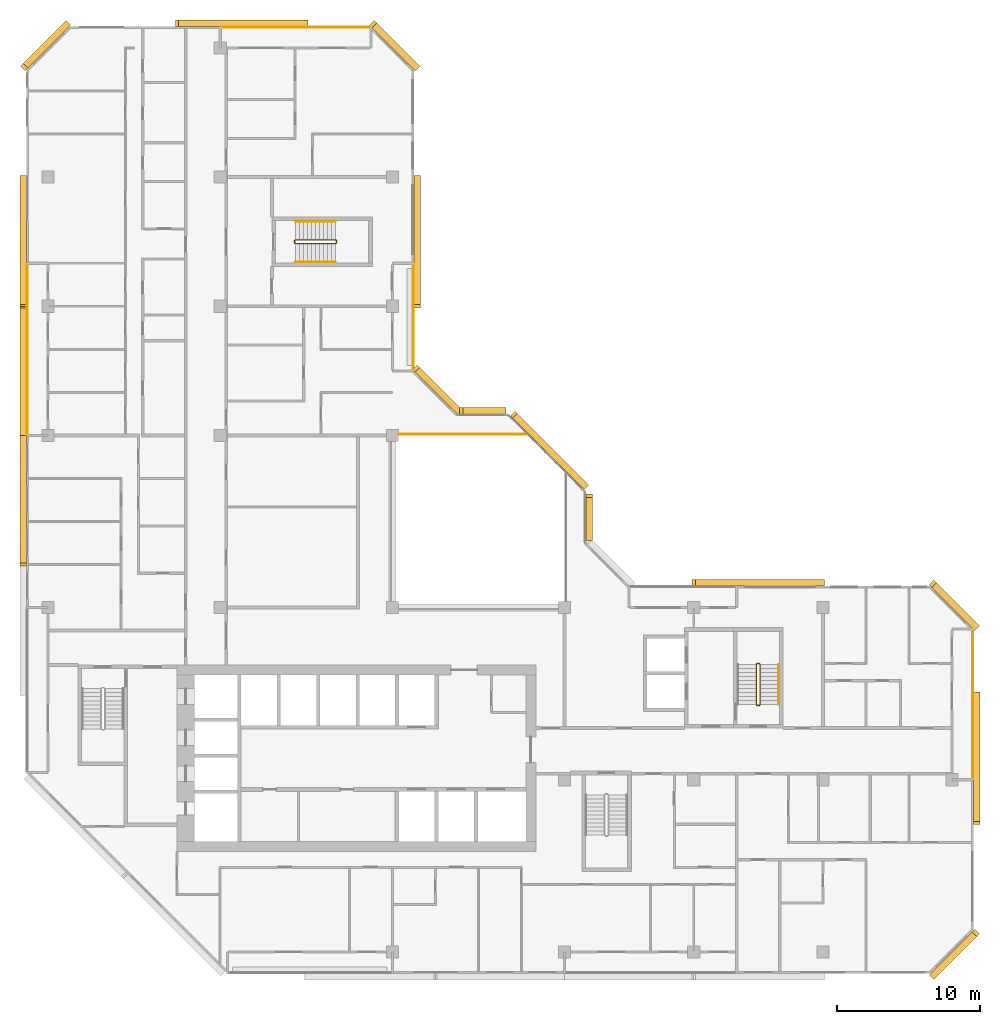
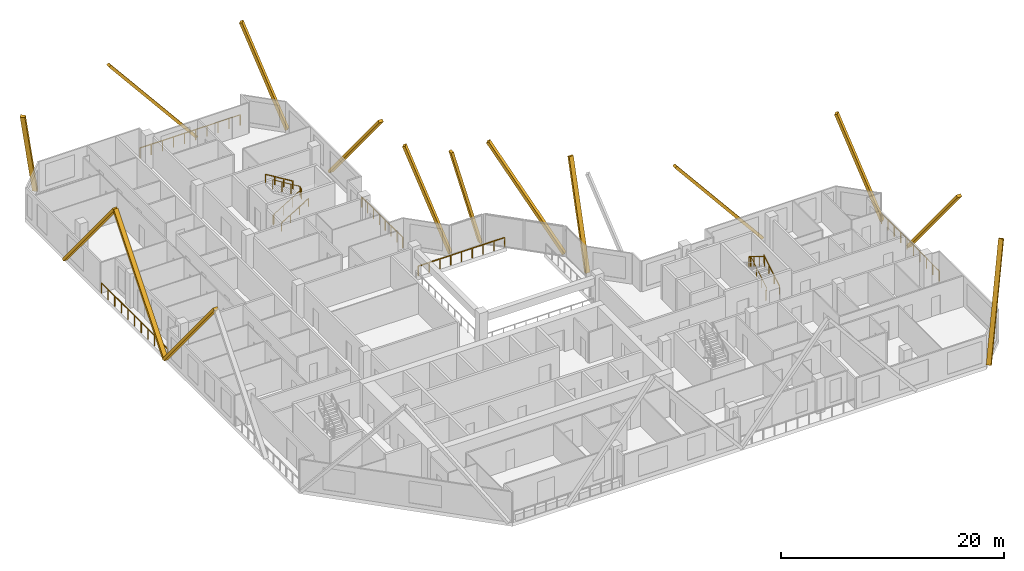
# One storey, part 15 of 15: 15 coverings, 10 railings.
"""IFC4 building model written with IfcOpenShell, lengths in metres."""

from ifc_helpers import new_model, si_unit, direction, frame, origin, origin_2d, place, context, subcontext, project, spatial, rectangle, extrude, material, material_profile, profile_set, type_object, element, save


model = new_model("IFC4")

# Units and contexts
model_context = context("Model", 3, precision=1e-05, world=origin(), true_north=direction((0.0, 1.0)))
body_context = subcontext(model_context, "Body", "Model", "MODEL_VIEW")
ifc_project = project(units=[si_unit("LENGTHUNIT", "METRE"), si_unit("AREAUNIT", "SQUARE_METRE"), si_unit("VOLUMEUNIT", "CUBIC_METRE"), si_unit("PLANEANGLEUNIT", "RADIAN"), si_unit("MASSUNIT", "GRAM", prefix="KILO")], contexts=[model_context])

# Site, building, storey
site_placement = place(None, origin())
site = spatial("IfcSite", under=ifc_project, at=site_placement, CompositionType="ELEMENT")
building_placement = place(site_placement, origin())
building = spatial("IfcBuilding", under=site, at=building_placement, Name="Chenar Terraces", CompositionType="ELEMENT")
storey_placement = place(building_placement, frame((0.0, 0.0, 245.39990234375)))
storey = spatial("IfcBuildingStorey", under=building, at=storey_placement, Name="L58", CompositionType="ELEMENT", Elevation=245.39990234375)

# Railings
ifc_material_1 = material(Name="Powder-coated steel", Category="steel")
railing_type_1 = type_object("IfcRailingType", Name="Guard 1100 steel rail with glass infill", PredefinedType="GUARDRAIL", material=ifc_material_1)
railing_1_placement = place(storey_placement, frame((24.47509765625, 36.10009765625, 0.0)))
element("IfcRailing", 1, at=railing_1_placement, inside=storey, type_object=railing_type_1, Name="Guard L58-2", PredefinedType="GUARDRAIL", context=body_context, shape_type="SweptSolid", body=[
    extrude(rectangle(XDim=0.06005859375, YDim=0.06005859375, at=origin_2d()), frame((0.0, 0.0, 1.070068359375), z_axis=(1.0, 0.0, 0.0), x_axis=(0.0, 1.0, 0.0)), (0.0, 0.0, 1.0), 8.9248046875),
    extrude(rectangle(XDim=0.050048828125, YDim=0.050048828125, at=origin_2d()), origin(), (0.0, 0.0, 1.0), 1.0400390625),
    extrude(rectangle(XDim=0.050048828125, YDim=0.050048828125, at=origin_2d()), frame((1.11572265625, 0.0, 0.0)), (0.0, 0.0, 1.0), 1.0400390625),
    extrude(rectangle(XDim=0.050048828125, YDim=0.050048828125, at=origin_2d()), frame((2.231201171875, 0.0, 0.0)), (0.0, 0.0, 1.0), 1.0400390625),
    extrude(rectangle(XDim=0.050048828125, YDim=0.050048828125, at=origin_2d()), frame((3.3466796875, 0.0, 0.0)), (0.0, 0.0, 1.0), 1.0400390625),
    extrude(rectangle(XDim=0.050048828125, YDim=0.050048828125, at=origin_2d()), frame((4.46240234375, 0.0, 0.0)), (0.0, 0.0, 1.0), 1.0400390625),
    extrude(rectangle(XDim=0.050048828125, YDim=0.050048828125, at=origin_2d()), frame((5.578125, 0.0, 0.0)), (0.0, 0.0, 1.0), 1.0400390625),
    extrude(rectangle(XDim=0.050048828125, YDim=0.050048828125, at=origin_2d()), frame((6.693603515625, 0.0, 0.0)), (0.0, 0.0, 1.0), 1.0400390625),
    extrude(rectangle(XDim=0.050048828125, YDim=0.050048828125, at=origin_2d()), frame((7.80908203125, 0.0, 0.0)), (0.0, 0.0, 1.0), 1.0400390625),
    extrude(rectangle(XDim=0.050048828125, YDim=0.050048828125, at=origin_2d()), frame((8.9248046875, 0.0, 0.0)), (0.0, 0.0, 1.0), 1.0400390625),
])
ifc_material_2 = material(Name="Stainless steel and glass", Category="steel")
railing_type_2 = type_object("IfcRailingType", Name="Loggia guard 1150", PredefinedType="GUARDRAIL", material=ifc_material_2)
railing_2_placement = place(storey_placement, frame((25.449951171875, 40.574951171875, 0.0)))
element("IfcRailing", 2, at=railing_2_placement, inside=storey, type_object=railing_type_2, Name="Loggia guard", PredefinedType="GUARDRAIL", context=body_context, shape_type="SweptSolid", body=[
    extrude(rectangle(XDim=0.048095703125, YDim=0.048095703125, at=origin_2d()), frame((0.0, 0.0, 1.1259765625), z_axis=(0.0, 1.0, 0.0), x_axis=(-1.0, 0.0, 0.0)), (0.0, 0.0, 1.0), 7.35009765625),
    extrude(rectangle(XDim=0.0419921875, YDim=0.0419921875, at=origin_2d()), origin(), (0.0, 0.0, 1.0), 1.101806640625),
    extrude(rectangle(XDim=0.0419921875, YDim=0.0419921875, at=origin_2d()), frame((0.0, 1.050048828125, 0.0)), (0.0, 0.0, 1.0), 1.101806640625),
    extrude(rectangle(XDim=0.0419921875, YDim=0.0419921875, at=origin_2d()), frame((0.0, 2.10009765625, 0.0)), (0.0, 0.0, 1.0), 1.101806640625),
    extrude(rectangle(XDim=0.0419921875, YDim=0.0419921875, at=origin_2d()), frame((0.0, 3.150146484375, 0.0)), (0.0, 0.0, 1.0), 1.101806640625),
    extrude(rectangle(XDim=0.0419921875, YDim=0.0419921875, at=origin_2d()), frame((0.0, 4.199951171875, 0.0)), (0.0, 0.0, 1.0), 1.101806640625),
    extrude(rectangle(XDim=0.0419921875, YDim=0.0419921875, at=origin_2d()), frame((0.0, 5.25, 0.0)), (0.0, 0.0, 1.0), 1.101806640625),
    extrude(rectangle(XDim=0.0419921875, YDim=0.0419921875, at=origin_2d()), frame((0.0, 6.300048828125, 0.0)), (0.0, 0.0, 1.0), 1.101806640625),
    extrude(rectangle(XDim=0.0419921875, YDim=0.0419921875, at=origin_2d()), frame((0.0, 7.35009765625, 0.0)), (0.0, 0.0, 1.0), 1.101806640625),
])
railing_3_placement = place(storey_placement, frame((64.449951171875, 12.074951171875, 0.0)))
element("IfcRailing", 3, at=railing_3_placement, inside=storey, type_object=railing_type_2, Name="Loggia guard", PredefinedType="GUARDRAIL", context=body_context, shape_type="SweptSolid", body=[
    extrude(rectangle(XDim=0.048095703125, YDim=0.048095703125, at=origin_2d()), frame((0.0, 0.0, 1.1259765625), z_axis=(0.0, 1.0, 0.0), x_axis=(-1.0, 0.0, 0.0)), (0.0, 0.0, 1.0), 10.35009765625),
    extrude(rectangle(XDim=0.0419921875, YDim=0.0419921875, at=origin_2d()), origin(), (0.0, 0.0, 1.0), 1.101806640625),
    extrude(rectangle(XDim=0.0419921875, YDim=0.0419921875, at=origin_2d()), frame((0.0, 1.14990234375, 0.0)), (0.0, 0.0, 1.0), 1.101806640625),
    extrude(rectangle(XDim=0.0419921875, YDim=0.0419921875, at=origin_2d()), frame((0.0, 2.300048828125, 0.0)), (0.0, 0.0, 1.0), 1.101806640625),
    extrude(rectangle(XDim=0.0419921875, YDim=0.0419921875, at=origin_2d()), frame((0.0, 3.449951171875, 0.0)), (0.0, 0.0, 1.0), 1.101806640625),
    extrude(rectangle(XDim=0.0419921875, YDim=0.0419921875, at=origin_2d()), frame((0.0, 4.60009765625, 0.0)), (0.0, 0.0, 1.0), 1.101806640625),
    extrude(rectangle(XDim=0.0419921875, YDim=0.0419921875, at=origin_2d()), frame((0.0, 5.75, 0.0)), (0.0, 0.0, 1.0), 1.101806640625),
    extrude(rectangle(XDim=0.0419921875, YDim=0.0419921875, at=origin_2d()), frame((0.0, 6.900146484375, 0.0)), (0.0, 0.0, 1.0), 1.101806640625),
    extrude(rectangle(XDim=0.0419921875, YDim=0.0419921875, at=origin_2d()), frame((0.0, 8.050048828125, 0.0)), (0.0, 0.0, 1.0), 1.101806640625),
    extrude(rectangle(XDim=0.0419921875, YDim=0.0419921875, at=origin_2d()), frame((0.0, 9.2001953125, 0.0)), (0.0, 0.0, 1.0), 1.101806640625),
    extrude(rectangle(XDim=0.0419921875, YDim=0.0419921875, at=origin_2d()), frame((0.0, 10.35009765625, 0.0)), (0.0, 0.0, 1.0), 1.101806640625),
])
railing_4_placement = place(storey_placement, frame((22.425048828125, 64.449951171875, 0.0)))
element("IfcRailing", 4, at=railing_4_placement, inside=storey, type_object=railing_type_2, Name="Loggia guard", PredefinedType="GUARDRAIL", context=body_context, shape_type="SweptSolid", body=[
    extrude(rectangle(XDim=0.048095703125, YDim=0.048095703125, at=origin_2d()), frame((0.0, 0.0, 1.1259765625), z_axis=(-1.0, 0.0, 0.0), x_axis=(0.0, -1.0, 0.0)), (0.0, 0.0, 1.0), 10.35009765625),
    extrude(rectangle(XDim=0.0419921875, YDim=0.0419921875, at=origin_2d()), origin(), (0.0, 0.0, 1.0), 1.101806640625),
    extrude(rectangle(XDim=0.0419921875, YDim=0.0419921875, at=origin_2d()), frame((-1.14990234375, 0.0, 0.0)), (0.0, 0.0, 1.0), 1.101806640625),
    extrude(rectangle(XDim=0.0419921875, YDim=0.0419921875, at=origin_2d()), frame((-2.300048828125, 0.0, 0.0)), (0.0, 0.0, 1.0), 1.101806640625),
    extrude(rectangle(XDim=0.0419921875, YDim=0.0419921875, at=origin_2d()), frame((-3.449951171875, 0.0, 0.0)), (0.0, 0.0, 1.0), 1.101806640625),
    extrude(rectangle(XDim=0.0419921875, YDim=0.0419921875, at=origin_2d()), frame((-4.60009765625, 0.0, 0.0)), (0.0, 0.0, 1.0), 1.101806640625),
    extrude(rectangle(XDim=0.0419921875, YDim=0.0419921875, at=origin_2d()), frame((-5.75, 0.0, 0.0)), (0.0, 0.0, 1.0), 1.101806640625),
    extrude(rectangle(XDim=0.0419921875, YDim=0.0419921875, at=origin_2d()), frame((-6.900146484375, 0.0, 0.0)), (0.0, 0.0, 1.0), 1.101806640625),
    extrude(rectangle(XDim=0.0419921875, YDim=0.0419921875, at=origin_2d()), frame((-8.050048828125, 0.0, 0.0)), (0.0, 0.0, 1.0), 1.101806640625),
    extrude(rectangle(XDim=0.0419921875, YDim=0.0419921875, at=origin_2d()), frame((-9.2001953125, 0.0, 0.0)), (0.0, 0.0, 1.0), 1.101806640625),
    extrude(rectangle(XDim=0.0419921875, YDim=0.0419921875, at=origin_2d()), frame((-10.35009765625, 0.0, 0.0)), (0.0, 0.0, 1.0), 1.101806640625),
])
railing_5_placement = place(storey_placement, frame((-1.449951171875, 47.925048828125, 0.0)))
element("IfcRailing", 5, at=railing_5_placement, inside=storey, type_object=railing_type_2, Name="Loggia guard", PredefinedType="GUARDRAIL", context=body_context, shape_type="SweptSolid", body=[
    extrude(rectangle(XDim=0.048095703125, YDim=0.048095703125, at=origin_2d()), frame((0.0, 0.0, 1.1259765625), z_axis=(0.0, -1.0, 0.0), x_axis=(1.0, 0.0, 0.0)), (0.0, 0.0, 1.0), 11.85009765625),
    extrude(rectangle(XDim=0.0419921875, YDim=0.0419921875, at=origin_2d()), origin(), (0.0, 0.0, 1.0), 1.101806640625),
    extrude(rectangle(XDim=0.0419921875, YDim=0.0419921875, at=origin_2d()), frame((0.0, -1.18505859375, 0.0)), (0.0, 0.0, 1.0), 1.101806640625),
    extrude(rectangle(XDim=0.0419921875, YDim=0.0419921875, at=origin_2d()), frame((0.0, -2.3701171875, 0.0)), (0.0, 0.0, 1.0), 1.101806640625),
    extrude(rectangle(XDim=0.0419921875, YDim=0.0419921875, at=origin_2d()), frame((0.0, -3.554931640625, 0.0)), (0.0, 0.0, 1.0), 1.101806640625),
    extrude(rectangle(XDim=0.0419921875, YDim=0.0419921875, at=origin_2d()), frame((0.0, -4.739990234375, 0.0)), (0.0, 0.0, 1.0), 1.101806640625),
    extrude(rectangle(XDim=0.0419921875, YDim=0.0419921875, at=origin_2d()), frame((0.0, -5.925048828125, 0.0)), (0.0, 0.0, 1.0), 1.101806640625),
    extrude(rectangle(XDim=0.0419921875, YDim=0.0419921875, at=origin_2d()), frame((0.0, -7.110107421875, 0.0)), (0.0, 0.0, 1.0), 1.101806640625),
    extrude(rectangle(XDim=0.0419921875, YDim=0.0419921875, at=origin_2d()), frame((0.0, -8.295166015625, 0.0)), (0.0, 0.0, 1.0), 1.101806640625),
    extrude(rectangle(XDim=0.0419921875, YDim=0.0419921875, at=origin_2d()), frame((0.0, -9.47998046875, 0.0)), (0.0, 0.0, 1.0), 1.101806640625),
    extrude(rectangle(XDim=0.0419921875, YDim=0.0419921875, at=origin_2d()), frame((0.0, -10.6650390625, 0.0)), (0.0, 0.0, 1.0), 1.101806640625),
    extrude(rectangle(XDim=0.0419921875, YDim=0.0419921875, at=origin_2d()), frame((0.0, -11.85009765625, 0.0)), (0.0, 0.0, 1.0), 1.101806640625),
])
ifc_material_3 = material(Name="Powder-coated steel", Category="steel")
railing_type_3 = type_object("IfcRailingType", Name="Stair guard 1100", PredefinedType="GUARDRAIL", material=ifc_material_3)
railing_6_placement = place(storey_placement, frame((49.375, 17.25, 3.75)))
element("IfcRailing", 6, at=railing_6_placement, inside=storey, type_object=railing_type_3, Name="L58 ST3 stair guard 1", PredefinedType="GUARDRAIL", context=body_context, shape_type="SweptSolid", body=[
    extrude(rectangle(XDim=0.048095703125, YDim=0.048095703125, at=origin_2d()), frame((0.0, 0.0, 1.076171875), z_axis=(0.0, 0.854202870247, -0.519939858505), x_axis=(-1.0, 0.0, 0.0)), (0.0, 0.0, 1.0), 3.278076171875),
    extrude(rectangle(XDim=0.048095703125, YDim=0.048095703125, at=origin_2d()), frame((0.0, 2.800048828125, -0.62841796875), z_axis=(0.270899902878, 0.270899902878, -0.923702595667), x_axis=(-0.707106781187, 0.707106781187, 0.0)), (0.0, 0.0, 1.0), 0.184814453125),
    extrude(rectangle(XDim=0.048095703125, YDim=0.048095703125, at=origin_2d()), frame((0.050048828125, 2.85009765625, -0.798828125), z_axis=(1.0, 0.0, 0.0), x_axis=(0.0, 1.0, 0.0)), (0.0, 0.0, 1.0), 0.14990234375),
    extrude(rectangle(XDim=0.048095703125, YDim=0.048095703125, at=origin_2d()), frame((0.199951171875, 2.85009765625, -0.798828125), z_axis=(0.707106781187, -0.707106781187, 0.0), x_axis=(0.707106781187, 0.707106781187, 0.0)), (0.0, 0.0, 1.0), 0.07080078125),
    extrude(rectangle(XDim=0.048095703125, YDim=0.048095703125, at=origin_2d()), frame((0.25, 2.800048828125, -0.798828125), z_axis=(0.0, -0.854202870247, -0.519939858505), x_axis=(1.0, 0.0, 0.0)), (0.0, 0.0, 1.0), 3.278076171875),
    extrude(rectangle(XDim=0.048095703125, YDim=0.048095703125, at=origin_2d()), frame((0.25, 0.0, -2.50341796875), z_axis=(-0.270899902878, -0.270899902878, -0.923702595667), x_axis=(0.707106781187, -0.707106781187, 0.0)), (0.0, 0.0, 1.0), 0.184814453125),
    extrude(rectangle(XDim=0.048095703125, YDim=0.048095703125, at=origin_2d()), frame((0.199951171875, -0.050048828125, -2.673828125), z_axis=(-1.0, 0.0, 0.0), x_axis=(0.0, -1.0, 0.0)), (0.0, 0.0, 1.0), 0.14990234375),
    extrude(rectangle(XDim=0.0419921875, YDim=0.0419921875, at=origin_2d()), origin(), (0.0, 0.0, 1.0), 1.052001953125),
    extrude(rectangle(XDim=0.0419921875, YDim=0.0419921875, at=origin_2d()), frame((0.0, 0.933349609375, -0.568115234375)), (0.0, 0.0, 1.0), 1.052001953125),
    extrude(rectangle(XDim=0.0419921875, YDim=0.0419921875, at=origin_2d()), frame((0.0, 1.86669921875, -1.13623046875)), (0.0, 0.0, 1.0), 1.052001953125),
    extrude(rectangle(XDim=0.0419921875, YDim=0.0419921875, at=origin_2d()), frame((0.0, 2.800048828125, -1.704345703125)), (0.0, 0.0, 1.0), 1.052001953125),
    extrude(rectangle(XDim=0.0419921875, YDim=0.0419921875, at=origin_2d()), frame((0.050048828125, 2.85009765625, -1.875)), (0.0, 0.0, 1.0), 1.052001953125),
    extrude(rectangle(XDim=0.0419921875, YDim=0.0419921875, at=origin_2d()), frame((0.199951171875, 2.85009765625, -1.875)), (0.0, 0.0, 1.0), 1.052001953125),
    extrude(rectangle(XDim=0.0419921875, YDim=0.0419921875, at=origin_2d()), frame((0.25, 2.800048828125, -1.875)), (0.0, 0.0, 1.0), 1.052001953125),
    extrude(rectangle(XDim=0.0419921875, YDim=0.0419921875, at=origin_2d()), frame((0.25, 1.86669921875, -2.443115234375)), (0.0, 0.0, 1.0), 1.052001953125),
    extrude(rectangle(XDim=0.0419921875, YDim=0.0419921875, at=origin_2d()), frame((0.25, 0.933349609375, -3.01123046875)), (0.0, 0.0, 1.0), 1.052001953125),
    extrude(rectangle(XDim=0.0419921875, YDim=0.0419921875, at=origin_2d()), frame((0.25, 0.0, -3.579345703125)), (0.0, 0.0, 1.0), 1.052001953125),
    extrude(rectangle(XDim=0.0419921875, YDim=0.0419921875, at=origin_2d()), frame((0.199951171875, -0.050048828125, -3.75)), (0.0, 0.0, 1.0), 1.052001953125),
    extrude(rectangle(XDim=0.0419921875, YDim=0.0419921875, at=origin_2d()), frame((0.050048828125, -0.050048828125, -3.75)), (0.0, 0.0, 1.0), 1.052001953125),
])
railing_7_placement = place(storey_placement, frame((17.25, 49.625, 3.75)))
element("IfcRailing", 7, at=railing_7_placement, inside=storey, type_object=railing_type_3, Name="L58 ST4 stair guard 1", PredefinedType="GUARDRAIL", context=body_context, shape_type="SweptSolid", body=[
    extrude(rectangle(XDim=0.048095703125, YDim=0.048095703125, at=origin_2d()), frame((0.0, 0.0, 1.076171875), z_axis=(0.854202870247, 0.0, -0.519939858505), x_axis=(0.0, 1.0, 0.0)), (0.0, 0.0, 1.0), 3.278076171875),
    extrude(rectangle(XDim=0.048095703125, YDim=0.048095703125, at=origin_2d()), frame((2.800048828125, 0.0, -0.62841796875), z_axis=(0.270899902878, -0.270899902878, -0.923702595667), x_axis=(0.707106781187, 0.707106781187, 0.0)), (0.0, 0.0, 1.0), 0.184814453125),
    extrude(rectangle(XDim=0.048095703125, YDim=0.048095703125, at=origin_2d()), frame((2.85009765625, -0.050048828125, -0.798828125), z_axis=(0.0, -1.0, 0.0), x_axis=(1.0, 0.0, 0.0)), (0.0, 0.0, 1.0), 0.14990234375),
    extrude(rectangle(XDim=0.048095703125, YDim=0.048095703125, at=origin_2d()), frame((2.85009765625, -0.199951171875, -0.798828125), z_axis=(-0.707106781187, -0.707106781187, 0.0), x_axis=(0.707106781187, -0.707106781187, 0.0)), (0.0, 0.0, 1.0), 0.07080078125),
    extrude(rectangle(XDim=0.048095703125, YDim=0.048095703125, at=origin_2d()), frame((2.800048828125, -0.25, -0.798828125), z_axis=(-0.854202870247, 0.0, -0.519939858505), x_axis=(0.0, -1.0, 0.0)), (0.0, 0.0, 1.0), 3.278076171875),
    extrude(rectangle(XDim=0.048095703125, YDim=0.048095703125, at=origin_2d()), frame((0.0, -0.25, -2.50341796875), z_axis=(-0.270899902878, 0.270899902878, -0.923702595667), x_axis=(-0.707106781187, -0.707106781187, 0.0)), (0.0, 0.0, 1.0), 0.184814453125),
    extrude(rectangle(XDim=0.048095703125, YDim=0.048095703125, at=origin_2d()), frame((-0.050048828125, -0.199951171875, -2.673828125), z_axis=(0.0, 1.0, 0.0), x_axis=(-1.0, 0.0, 0.0)), (0.0, 0.0, 1.0), 0.14990234375),
    extrude(rectangle(XDim=0.0419921875, YDim=0.0419921875, at=origin_2d()), origin(), (0.0, 0.0, 1.0), 1.052001953125),
    extrude(rectangle(XDim=0.0419921875, YDim=0.0419921875, at=origin_2d()), frame((0.933349609375, 0.0, -0.568115234375)), (0.0, 0.0, 1.0), 1.052001953125),
    extrude(rectangle(XDim=0.0419921875, YDim=0.0419921875, at=origin_2d()), frame((1.86669921875, 0.0, -1.13623046875)), (0.0, 0.0, 1.0), 1.052001953125),
    extrude(rectangle(XDim=0.0419921875, YDim=0.0419921875, at=origin_2d()), frame((2.800048828125, 0.0, -1.704345703125)), (0.0, 0.0, 1.0), 1.052001953125),
    extrude(rectangle(XDim=0.0419921875, YDim=0.0419921875, at=origin_2d()), frame((2.85009765625, -0.050048828125, -1.875)), (0.0, 0.0, 1.0), 1.052001953125),
    extrude(rectangle(XDim=0.0419921875, YDim=0.0419921875, at=origin_2d()), frame((2.85009765625, -0.199951171875, -1.875)), (0.0, 0.0, 1.0), 1.052001953125),
    extrude(rectangle(XDim=0.0419921875, YDim=0.0419921875, at=origin_2d()), frame((2.800048828125, -0.25, -1.875)), (0.0, 0.0, 1.0), 1.052001953125),
    extrude(rectangle(XDim=0.0419921875, YDim=0.0419921875, at=origin_2d()), frame((1.86669921875, -0.25, -2.443115234375)), (0.0, 0.0, 1.0), 1.052001953125),
    extrude(rectangle(XDim=0.0419921875, YDim=0.0419921875, at=origin_2d()), frame((0.933349609375, -0.25, -3.01123046875)), (0.0, 0.0, 1.0), 1.052001953125),
    extrude(rectangle(XDim=0.0419921875, YDim=0.0419921875, at=origin_2d()), frame((0.0, -0.25, -3.579345703125)), (0.0, 0.0, 1.0), 1.052001953125),
    extrude(rectangle(XDim=0.0419921875, YDim=0.0419921875, at=origin_2d()), frame((-0.050048828125, -0.199951171875, -3.75)), (0.0, 0.0, 1.0), 1.052001953125),
    extrude(rectangle(XDim=0.0419921875, YDim=0.0419921875, at=origin_2d()), frame((-0.050048828125, -0.050048828125, -3.75)), (0.0, 0.0, 1.0), 1.052001953125),
])
ifc_material_4 = material(Name="Powder-coated steel", Category="steel")
railing_type_4 = type_object("IfcRailingType", Name="Stair handrail 900", PredefinedType="HANDRAIL", material=ifc_material_4)
railing_8_placement = place(storey_placement, frame((50.925048828125, 17.25, 0.170654296875)))
element("IfcRailing", 8, at=railing_8_placement, inside=storey, type_object=railing_type_4, Name="L58 ST3 stair handrail 1", PredefinedType="HANDRAIL", context=body_context, shape_type="SweptSolid", body=[
    extrude(rectangle(XDim=0.048095703125, YDim=0.048095703125, at=origin_2d()), frame((0.0, 0.0, 0.8759765625), z_axis=(0.0, 0.854202870247, 0.519939858505), x_axis=(-1.0, 0.0, 0.0)), (0.0, 0.0, 1.0), 3.278076171875),
    extrude(rectangle(XDim=0.0419921875, YDim=0.0419921875, at=origin_2d()), origin(), (0.0, 0.0, 1.0), 0.851806640625),
    extrude(rectangle(XDim=0.0419921875, YDim=0.0419921875, at=origin_2d()), frame((0.0, 0.933349609375, 0.568115234375)), (0.0, 0.0, 1.0), 0.851806640625),
    extrude(rectangle(XDim=0.0419921875, YDim=0.0419921875, at=origin_2d()), frame((0.0, 1.86669921875, 1.13623046875)), (0.0, 0.0, 1.0), 0.851806640625),
    extrude(rectangle(XDim=0.0419921875, YDim=0.0419921875, at=origin_2d()), frame((0.0, 2.800048828125, 1.704345703125)), (0.0, 0.0, 1.0), 0.851806640625),
])
railing_9_placement = place(storey_placement, frame((17.25, 48.074951171875, 0.170654296875)))
element("IfcRailing", 9, at=railing_9_placement, inside=storey, type_object=railing_type_4, Name="L58 ST4 stair handrail 1", PredefinedType="HANDRAIL", context=body_context, shape_type="SweptSolid", body=[
    extrude(rectangle(XDim=0.048095703125, YDim=0.048095703125, at=origin_2d()), frame((0.0, 0.0, 0.8759765625), z_axis=(0.854202870247, 0.0, 0.519939858505), x_axis=(0.0, 1.0, 0.0)), (0.0, 0.0, 1.0), 3.278076171875),
    extrude(rectangle(XDim=0.0419921875, YDim=0.0419921875, at=origin_2d()), origin(), (0.0, 0.0, 1.0), 0.851806640625),
    extrude(rectangle(XDim=0.0419921875, YDim=0.0419921875, at=origin_2d()), frame((0.933349609375, 0.0, 0.568115234375)), (0.0, 0.0, 1.0), 0.851806640625),
    extrude(rectangle(XDim=0.0419921875, YDim=0.0419921875, at=origin_2d()), frame((1.86669921875, 0.0, 1.13623046875)), (0.0, 0.0, 1.0), 0.851806640625),
    extrude(rectangle(XDim=0.0419921875, YDim=0.0419921875, at=origin_2d()), frame((2.800048828125, 0.0, 1.704345703125)), (0.0, 0.0, 1.0), 0.851806640625),
])
railing_10_placement = place(storey_placement, frame((20.050048828125, 50.925048828125, 2.045654296875)))
element("IfcRailing", 10, at=railing_10_placement, inside=storey, type_object=railing_type_4, Name="L58 ST4 stair handrail 2", PredefinedType="HANDRAIL", context=body_context, shape_type="SweptSolid", body=[
    extrude(rectangle(XDim=0.048095703125, YDim=0.048095703125, at=origin_2d()), frame((0.0, 0.0, 0.8759765625), z_axis=(-0.854202870247, 0.0, 0.519939858505), x_axis=(0.0, -1.0, 0.0)), (0.0, 0.0, 1.0), 3.278076171875),
    extrude(rectangle(XDim=0.0419921875, YDim=0.0419921875, at=origin_2d()), origin(), (0.0, 0.0, 1.0), 0.851806640625),
    extrude(rectangle(XDim=0.0419921875, YDim=0.0419921875, at=origin_2d()), frame((-0.933349609375, 0.0, 0.568115234375)), (0.0, 0.0, 1.0), 0.851806640625),
    extrude(rectangle(XDim=0.0419921875, YDim=0.0419921875, at=origin_2d()), frame((-1.86669921875, 0.0, 1.13623046875)), (0.0, 0.0, 1.0), 0.851806640625),
    extrude(rectangle(XDim=0.0419921875, YDim=0.0419921875, at=origin_2d()), frame((-2.800048828125, 0.0, 1.704345703125)), (0.0, 0.0, 1.0), 0.851806640625),
])

# Coverings
ifc_material_5 = material(Name="Terracotta", Category="masonry")
ifc_material_profile = material_profile(ifc_material_5, rectangle(XDim=0.449951171875, YDim=0.280029296875, at=origin_2d()), Name="Terracotta baguette 450 x 280")
ifc_profile_set = profile_set([ifc_material_profile], Name="Terracotta")
covering_type = type_object("IfcCoveringType", Name="Terracotta baguette 450 x 280", PredefinedType="CLADDING", material=ifc_profile_set)
covering_1_placement = place(storey_placement, frame((54.0, 25.72509765625, 0.150146484375), z_axis=(-0.634966765532, 0.0, 0.772539453148), x_axis=(0.0, -1.0, 0.0)))
element("IfcCovering", 11, at=covering_1_placement, inside=storey, type_object=covering_type, Name="Terracotta baguette", PredefinedType="CLADDING", context=body_context, shape_type="SweptSolid", body=[
    extrude(rectangle(XDim=0.449951171875, YDim=0.280029296875, at=origin_2d()), origin(), (0.0, 0.0, 1.0), 14.174072265625),
])
covering_2_placement = place(storey_placement, frame((37.72509765625, 28.800048828125, 0.150146484375), z_axis=(0.0, 0.26423624309, 0.964457986559), x_axis=(-1.0, 0.0, 0.0)))
element("IfcCovering", 12, at=covering_2_placement, inside=storey, type_object=covering_type, Name="Terracotta baguette", PredefinedType="CLADDING", context=body_context, shape_type="SweptSolid", body=[
    extrude(rectangle(XDim=0.449951171875, YDim=0.280029296875, at=origin_2d()), origin(), (0.0, 0.0, 1.0), 11.353515625),
])
covering_3_placement = place(storey_placement, frame((37.447021484375, 32.47119140625, 0.150146484375), z_axis=(-0.382282332253, 0.382282332253, 0.841261217991), x_axis=(-0.707106781187, -0.707106781187, 0.0)))
element("IfcCovering", 13, at=covering_3_placement, inside=storey, type_object=covering_type, Name="Terracotta baguette", PredefinedType="CLADDING", context=body_context, shape_type="SweptSolid", body=[
    extrude(rectangle(XDim=0.449951171875, YDim=0.280029296875, at=origin_2d()), origin(), (0.0, 0.0, 1.0), 13.01611328125),
])
covering_4_placement = place(storey_placement, frame((31.800048828125, 37.72509765625, 0.150146484375), z_axis=(-0.26423624309, 0.0, 0.964457986559), x_axis=(0.0, -1.0, 0.0)))
element("IfcCovering", 14, at=covering_4_placement, inside=storey, type_object=covering_type, Name="Terracotta baguette", PredefinedType="CLADDING", context=body_context, shape_type="SweptSolid", body=[
    extrude(rectangle(XDim=0.449951171875, YDim=0.280029296875, at=origin_2d()), origin(), (0.0, 0.0, 1.0), 11.353515625),
])
covering_5_placement = place(storey_placement, frame((28.6591796875, 37.6591796875, 0.150146484375), z_axis=(-0.255468212233, 0.255468212233, 0.932454816641), x_axis=(-0.707106781187, -0.707106781187, 0.0)))
element("IfcCovering", 15, at=covering_5_placement, inside=storey, type_object=covering_type, Name="Terracotta baguette", PredefinedType="CLADDING", context=body_context, shape_type="SweptSolid", body=[
    extrude(rectangle(XDim=0.449951171875, YDim=0.280029296875, at=origin_2d()), origin(), (0.0, 0.0, 1.0), 11.7431640625),
])
covering_6_placement = place(storey_placement, frame((25.72509765625, 45.0, 11.10009765625), z_axis=(0.0, 0.634966765532, -0.772539453148), x_axis=(-1.0, 0.0, 0.0)))
element("IfcCovering", 16, at=covering_6_placement, inside=storey, type_object=covering_type, Name="Terracotta baguette", PredefinedType="CLADDING", context=body_context, shape_type="SweptSolid", body=[
    extrude(rectangle(XDim=0.449951171875, YDim=0.280029296875, at=origin_2d()), origin(), (0.0, 0.0, 1.0), 14.174072265625),
])
covering_7_placement = place(storey_placement, frame((25.6591796875, 61.6591796875, 0.150146484375), z_axis=(-0.255468212233, 0.255468212233, 0.932454816641), x_axis=(-0.707106781187, -0.707106781187, 0.0)))
element("IfcCovering", 17, at=covering_7_placement, inside=storey, type_object=covering_type, Name="Terracotta baguette", PredefinedType="CLADDING", context=body_context, shape_type="SweptSolid", body=[
    extrude(rectangle(XDim=0.449951171875, YDim=0.280029296875, at=origin_2d()), origin(), (0.0, 0.0, 1.0), 11.7431640625),
])
covering_8_placement = place(storey_placement, frame((18.0, 64.72509765625, 0.150146484375), z_axis=(-0.634966765532, 0.0, 0.772539453148), x_axis=(0.0, -1.0, 0.0)))
element("IfcCovering", 18, at=covering_8_placement, inside=storey, type_object=covering_type, Name="Terracotta baguette", PredefinedType="CLADDING", context=body_context, shape_type="SweptSolid", body=[
    extrude(rectangle(XDim=0.449951171875, YDim=0.280029296875, at=origin_2d()), origin(), (0.0, 0.0, 1.0), 14.174072265625),
])
covering_9_placement = place(storey_placement, frame((1.3408203125, 64.6591796875, 0.150146484375), z_axis=(-0.255468212233, -0.255468212233, 0.932454816641), x_axis=(0.707106781187, -0.707106781187, 0.0)))
element("IfcCovering", 19, at=covering_9_placement, inside=storey, type_object=covering_type, Name="Terracotta baguette", PredefinedType="CLADDING", context=body_context, shape_type="SweptSolid", body=[
    extrude(rectangle(XDim=0.449951171875, YDim=0.280029296875, at=origin_2d()), origin(), (0.0, 0.0, 1.0), 11.7431640625),
])
for number, where, z_axis, x_axis, name in (
    (20, (-1.72509765625, 54.0, 0.150146484375), (0.0, -0.634966765532, 0.772539453148), (1.0, 0.0, 0.0), "Terracotta baguette"),
    (21, (-1.72509765625, 45.0, 11.10009765625), (0.0, -0.634966765532, -0.772539453148), (1.0, 0.0, 0.0), "Terracotta baguette"),
    (22, (-1.72509765625, 36.0, 0.150146484375), (0.0, -0.634966765532, 0.772539453148), (1.0, 0.0, 0.0), "Terracotta baguette"),
):
    element("IfcCovering", number, at=place(storey_placement, frame(where, z_axis=z_axis, x_axis=x_axis)), inside=storey, type_object=covering_type, Name=name, PredefinedType="CLADDING", context=body_context, shape_type="SweptSolid", body=[
        extrude(rectangle(XDim=0.449951171875, YDim=0.280029296875, at=origin_2d()), origin(), (0.0, 0.0, 1.0), 14.174072265625),
    ])
covering_10_placement = place(storey_placement, frame((61.6591796875, -1.6591796875, 0.150146484375), z_axis=(0.255468212233, 0.255468212233, 0.932454816641), x_axis=(-0.707106781187, 0.707106781187, 0.0)))
element("IfcCovering", 23, at=covering_10_placement, inside=storey, type_object=covering_type, Name="Terracotta baguette", PredefinedType="CLADDING", context=body_context, shape_type="SweptSolid", body=[
    extrude(rectangle(XDim=0.449951171875, YDim=0.280029296875, at=origin_2d()), origin(), (0.0, 0.0, 1.0), 11.7431640625),
])
covering_11_placement = place(storey_placement, frame((64.72509765625, 9.0, 11.10009765625), z_axis=(0.0, 0.634966765532, -0.772539453148), x_axis=(-1.0, 0.0, 0.0)))
element("IfcCovering", 24, at=covering_11_placement, inside=storey, type_object=covering_type, Name="Terracotta baguette", PredefinedType="CLADDING", context=body_context, shape_type="SweptSolid", body=[
    extrude(rectangle(XDim=0.449951171875, YDim=0.280029296875, at=origin_2d()), origin(), (0.0, 0.0, 1.0), 14.174072265625),
])
covering_12_placement = place(storey_placement, frame((64.6591796875, 22.6591796875, 0.150146484375), z_axis=(-0.255468212233, 0.255468212233, 0.932454816641), x_axis=(-0.707106781187, -0.707106781187, 0.0)))
element("IfcCovering", 25, at=covering_12_placement, inside=storey, type_object=covering_type, Name="Terracotta baguette", PredefinedType="CLADDING", context=body_context, shape_type="SweptSolid", body=[
    extrude(rectangle(XDim=0.449951171875, YDim=0.280029296875, at=origin_2d()), origin(), (0.0, 0.0, 1.0), 11.7431640625),
])

save(model, "model.ifc")
